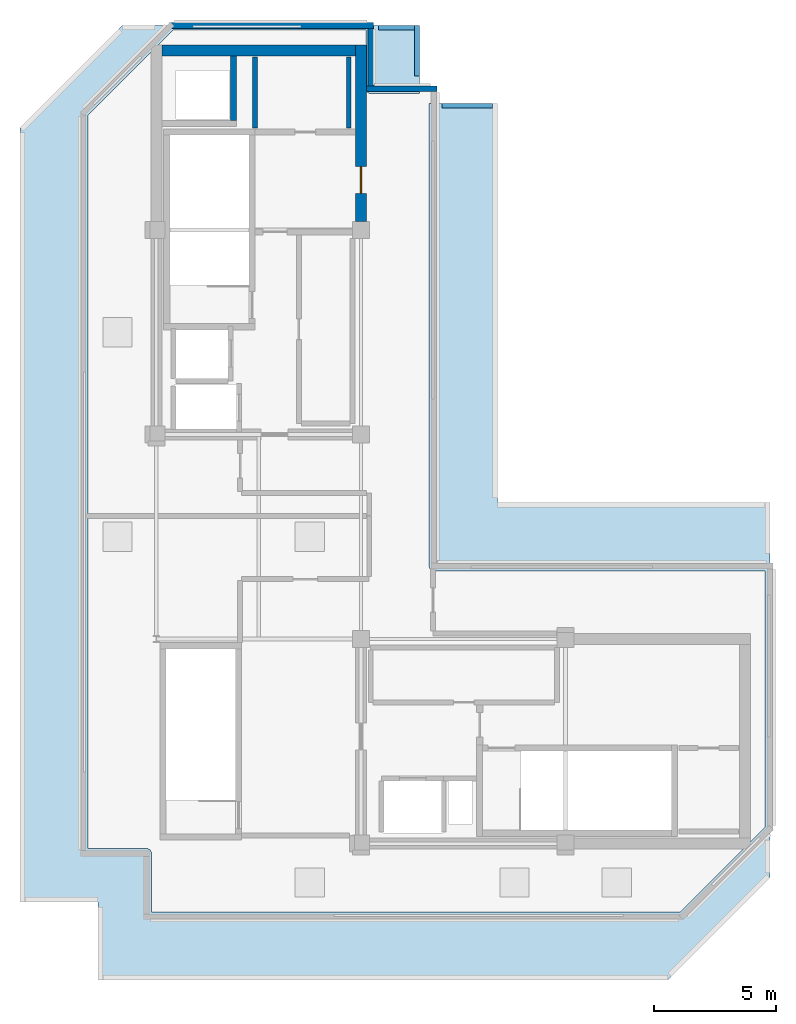
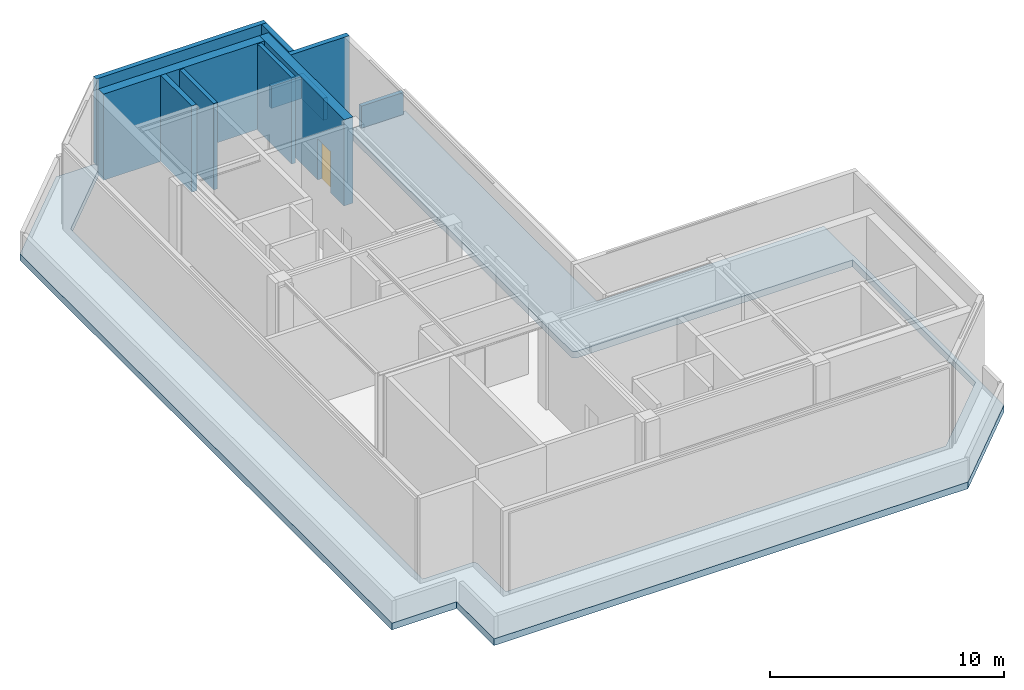
# One storey, part 4 of 5: 11 walls, 1 door, 1 roof, 1 opening.
"""IFC4 building model written with IfcOpenShell, lengths in metres."""

from ifc_helpers import new_model, si_unit, direction, frame, frame_2d, origin, place, context, subcontext, project, spatial, polyline, rectangle, outline, extrude, material, layer, layer_set, type_object, element, fill, save


model = new_model("IFC4")

# Units and contexts
model_context = context("Model", 3, precision=1e-05, world=origin(), true_north=direction((0.0, 1.0)))
body_context = subcontext(model_context, "Body", "Model", "MODEL_VIEW")
ifc_project = project(units=[si_unit("LENGTHUNIT", "METRE"), si_unit("AREAUNIT", "SQUARE_METRE"), si_unit("VOLUMEUNIT", "CUBIC_METRE"), si_unit("PLANEANGLEUNIT", "RADIAN"), si_unit("MASSUNIT", "GRAM", prefix="KILO")], contexts=[model_context])

# Site, building, storey
site_placement = place(None, origin())
site = spatial("IfcSite", under=ifc_project, at=site_placement, CompositionType="ELEMENT")
building_placement = place(site_placement, origin())
building = spatial("IfcBuilding", under=site, at=building_placement, Name="Nerrivon Quay Data Exchange", CompositionType="ELEMENT")
storey_placement = place(building_placement, frame((0.0, 0.0, 338.39990234375)))
storey = spatial("IfcBuildingStorey", under=building, at=storey_placement, Name="L80", CompositionType="ELEMENT", Elevation=338.39990234375)

# Walls
ifc_material_1 = material(Name="Architectural terracotta precast concrete N50 (50 MPa)", Category="masonry")
ifc_layer_1 = layer(ifc_material_1, 0.239990234375)
ifc_layer_set_1 = layer_set([ifc_layer_1], Name="Architectural terracotta precast concrete N50 (50 MPa)")
wall_type_1 = type_object("IfcWallType", Name="EW-PREC-240", PredefinedType="STANDARD", material=ifc_layer_set_1)
wall_1_placement = place(storey_placement, frame((8.92529296875, 42.0, 0.0), z_axis=(0.0, 0.0, 1.0), x_axis=(1.0, 0.0, 0.0)))
element("IfcWall", 1, at=wall_1_placement, inside=storey, type_object=wall_type_1, Name="L80 Plant Enclosure Wall 7", PredefinedType="STANDARD", context=body_context, shape_type="SweptSolid", body=[
    extrude(rectangle(XDim=8.394775390625, YDim=0.239990234375, at=frame_2d((4.197265625, 0.0))), origin(), (0.0, 0.0, 1.0), 4.5),
])
wall_2_placement = place(storey_placement, frame((17.199951171875, 41.8798828125, 0.0), z_axis=(0.0, 0.0, 1.0), x_axis=(0.0, -1.0, 0.0)))
element("IfcWall", 2, at=wall_2_placement, inside=storey, type_object=wall_type_1, Name="L80 Plant Enclosure Wall 8", PredefinedType="STANDARD", context=body_context, shape_type="SweptSolid", body=[
    extrude(rectangle(XDim=2.35986328125, YDim=0.239990234375, at=frame_2d((1.179931640625, 0.0))), origin(), (0.0, 0.0, 1.0), 4.5),
])
wall_3_placement = place(storey_placement, frame((17.02490234375, 39.39990234375, 0.0), z_axis=(0.0, 0.0, 1.0), x_axis=(1.0, 0.0, 0.0)))
element("IfcWall", 3, at=wall_3_placement, inside=storey, type_object=wall_type_1, Name="L80 Plant Enclosure Wall 9", PredefinedType="STANDARD", context=body_context, shape_type="SweptSolid", body=[
    extrude(rectangle(XDim=2.89501953125, YDim=0.239990234375, at=frame_2d((1.447509765625, 0.0))), origin(), (0.0, 0.0, 1.0), 4.5),
])
ifc_material_2 = material(Name="Precast concrete N50 (50 MPa)", Category="concrete")
ifc_layer_2 = layer(ifc_material_2, 0.199951171875)
ifc_layer_set_2 = layer_set([ifc_layer_2], Name="Precast concrete N50 (50 MPa)")
wall_type_2 = type_object("IfcWallType", Name="PAR-RC-1", PredefinedType="PARAPET", material=ifc_layer_set_2)
wall_4_placement = place(storey_placement, frame((19.10009765625, 39.919921875, 0.0), z_axis=(0.0, 0.0, 1.0), x_axis=(0.0, 1.0, 0.0)))
element("IfcWall", 4, at=wall_4_placement, inside=storey, type_object=wall_type_2, Name="L80 Stepped Crown Parapet 1.1", PredefinedType="PARAPET", context=body_context, shape_type="SweptSolid", body=[
    extrude(rectangle(XDim=2.080078125, YDim=0.199951171875, at=frame_2d((1.0400390625, 0.0))), origin(), (0.0, 0.0, 1.0), 1.150146484375),
])
wall_5_placement = place(storey_placement, frame((19.0, 41.89990234375, 0.0), z_axis=(0.0, 0.0, 1.0), x_axis=(-1.0, 0.0, 0.0)))
element("IfcWall", 5, at=wall_5_placement, inside=storey, type_object=wall_type_2, Name="L80 Stepped Crown Parapet 1.2", PredefinedType="PARAPET", context=body_context, shape_type="SweptSolid", body=[
    extrude(rectangle(XDim=1.47998046875, YDim=0.199951171875, at=frame_2d((0.739990234375, 0.0))), origin(), (0.0, 0.0, 1.0), 1.150146484375),
])
wall_6_placement = place(storey_placement, frame((22.199951171875, 38.699951171875, 0.0), z_axis=(0.0, 0.0, 1.0), x_axis=(-1.0, 0.0, 0.0)))
element("IfcWall", 6, at=wall_6_placement, inside=storey, type_object=wall_type_2, Name="L80 Stepped Crown Parapet 1.14", PredefinedType="PARAPET", context=body_context, shape_type="SweptSolid", body=[
    extrude(rectangle(XDim=2.079833984375, YDim=0.199951171875, at=frame_2d((1.0400390625, 0.0))), origin(), (0.0, 0.0, 1.0), 1.150146484375),
])
ifc_material_3 = material(Name="Concrete N50 (50 MPa)", Category="concrete")
ifc_layer_3 = layer(ifc_material_3, 0.449951171875)
ifc_layer_set_3 = layer_set([ifc_layer_3], Name="Concrete N50 (50 MPa)")
wall_type_3 = type_object("IfcWallType", Name="WALL-CW-550", PredefinedType="SHEAR", material=ifc_layer_set_3)
wall_7_placement = place(storey_placement, frame((8.625, 40.97509765625, 0.0), z_axis=(0.0, 0.0, 1.0), x_axis=(1.0, 0.0, 0.0)))
element("IfcWall", 7, at=wall_7_placement, inside=storey, type_object=wall_type_3, Name="L80 West Split-Core Shear Wall WCW-N1", PredefinedType="SHEAR", context=body_context, shape_type="SweptSolid", body=[
    extrude(rectangle(XDim=7.949951171875, YDim=0.449951171875, at=frame_2d((3.97509765625, 0.0))), origin(), (0.0, 0.0, 1.0), 4.5),
])

# Wall, opening, door
wall_8_placement = place(storey_placement, frame((16.800048828125, 33.949951171875, 0.0), z_axis=(0.0, 0.0, 1.0), x_axis=(0.0, 1.0, 0.0)))
wall_8 = element("IfcWall", 8, at=wall_8_placement, inside=storey, type_object=wall_type_3, Name="L80 West Split-Core Shear Wall WCW-E1", PredefinedType="SHEAR", context=body_context, shape_type="SweptSolid", body=[
    extrude(rectangle(XDim=7.25, YDim=0.449951171875, at=frame_2d((3.625, 0.0))), origin(), (0.0, 0.0, 1.0), 4.5),
])
opening_placement = place(wall_8_placement, frame((1.14990234375, 0.0, 0.0)))
opening = element("IfcOpeningElement", 9, at=opening_placement, cuts=wall_8, Name="Opening FD-120", PredefinedType="OPENING", context=body_context, shape_type="SweptSolid", body=[
    extrude(rectangle(XDim=1.10009765625, YDim=2.14990234375, at=frame_2d((0.550048828125, 1.074951171875))), frame((0.0, 0.23486328125, 0.0), z_axis=(0.0, -1.0, 0.0), x_axis=(1.0, 0.0, 0.0)), (0.0, 0.0, 1.0), 0.469970703125),
])
ifc_material_4 = material(Name="Powder-coated galvanized steel sheet", Category="steel")
door_type = type_object("IfcDoorType", Name="DR-FD120-1100", OperationType="NOTDEFINED", PredefinedType="DOOR", material=ifc_material_4)
door_placement = place(opening_placement, origin())
door = element("IfcDoor", 10, at=door_placement, inside=storey, type_object=door_type, Name="L80 West Core Lobby Fire Door", OperationType="SINGLE_SWING_RIGHT", OverallHeight=2.14990234375, OverallWidth=1.10009765625, PredefinedType="DOOR", context=body_context, shape_type="SweptSolid", body=[
    extrude(rectangle(XDim=1.10009765625, YDim=2.14990234375, at=frame_2d((0.550048828125, 1.074951171875))), frame((0.0, 0.02490234375, 0.0), z_axis=(0.0, -1.0, 0.0), x_axis=(1.0, 0.0, 0.0)), (0.0, 0.0, 1.0), 0.050048828125),
])
fill(opening, door)

# Walls
ifc_material_5 = material(Name="Gypsum plasterboard on cold-formed framing", Category="gypsum")
ifc_layer_4 = layer(ifc_material_5, 0.199951171875)
ifc_layer_set_4 = layer_set([ifc_layer_4], Name="Gypsum plasterboard on cold-formed framing")
wall_type_4 = type_object("IfcWallType", Name="WALL-FW-200", PredefinedType="PARTITIONING", material=ifc_layer_set_4)
for number, where, z_axis, x_axis, name in (
    (11, (16.300048828125, 37.780029296875, 0.0), (0.0, 0.0, 1.0), (0.0, 1.0, 0.0), "L80 Partition Electrical Switchboard Closet"),
    (12, (12.449951171875, 40.699951171875, 0.0), (0.0, 0.0, 1.0), (0.0, -1.0, 0.0), "L80 Partition Electrical Switchboard Closet"),
):
    element("IfcWall", number, at=place(storey_placement, frame(where, z_axis=z_axis, x_axis=x_axis)), inside=storey, type_object=wall_type_4, Name=name, PredefinedType="PARTITIONING", context=body_context, shape_type="SweptSolid", body=[
        extrude(rectangle(XDim=2.919921875, YDim=0.199951171875, at=frame_2d((1.4599609375, 0.0))), origin(), (0.0, 0.0, 1.0), 4.5),
    ])
ifc_layer_5 = layer(ifc_material_3, 0.25)
ifc_layer_set_5 = layer_set([ifc_layer_5], Name="Concrete N50 (50 MPa)")
wall_type_5 = type_object("IfcWallType", Name="WALL-SW-250", PredefinedType="SHEAR", material=ifc_layer_set_5)
wall_9_placement = place(storey_placement, frame((11.574951171875, 38.10009765625, 0.0), z_axis=(0.0, 0.0, 1.0), x_axis=(0.0, 1.0, 0.0)))
element("IfcWall", 13, at=wall_9_placement, inside=storey, type_object=wall_type_5, Name="L80 West Core MEP Riser Shaft Wall E", PredefinedType="SHEAR", context=body_context, shape_type="SweptSolid", body=[
    extrude(rectangle(XDim=2.64990234375, YDim=0.25, at=frame_2d((1.324951171875, 0.0))), origin(), (0.0, 0.0, 1.0), 4.5),
])

# Roof
ifc_layer_6 = layer(ifc_material_3, 0.300048828125)
ifc_layer_set_6 = layer_set([ifc_layer_6], Name="Concrete N50 (50 MPa)")
roof_type = type_object("IfcRoofType", Name="ROOF-CROWN-300", PredefinedType="FLAT_ROOF", material=ifc_layer_set_6)
roof_placement = place(storey_placement, frame((0.0, 0.0, -0.349853515625)))
element("IfcRoof", 14, at=roof_placement, inside=storey, type_object=roof_type, Name="L80 Stepped Crown Cap Roof 1", PredefinedType="FLAT_ROOF", context=body_context, shape_type="SweptSolid", body=[
    extrude(outline(polyline([(19.60009765625, 38.800048828125), (19.60009765625, 19.800048828125), (19.603759765625, 19.760986328125), (19.615234375, 19.723388671875), (19.62353515625, 19.705810546875), (19.6455078125, 19.673095703125), (19.673095703125, 19.6455078125), (19.68896484375, 19.6337890625), (19.723388671875, 19.615234375), (19.741943359375, 19.608642578125), (19.760986328125, 19.603759765625), (19.800048828125, 19.60009765625), (33.39990234375, 19.60009765625), (33.39990234375, 9.082763671875), (29.917236328125, 5.60009765625), (8.199951171875, 5.60009765625), (8.199951171875, 8.0), (8.1962890625, 8.0390625), (8.184814453125, 8.076416015625), (8.166259765625, 8.111083984375), (8.141357421875, 8.141357421875), (8.111083984375, 8.166259765625), (8.076416015625, 8.184814453125), (8.0390625, 8.1962890625), (8.0, 8.199951171875), (5.60009765625, 8.199951171875), (5.60009765625, 38.317138671875), (9.082763671875, 41.800048828125), (17.0, 41.800048828125), (17.0, 39.39990234375), (17.00390625, 39.361083984375), (17.01513671875, 39.323486328125), (17.023681640625, 39.3056640625), (17.04541015625, 39.273193359375), (17.072998046875, 39.245361328125), (17.0888671875, 39.233642578125), (17.12353515625, 39.215087890625), (17.160888671875, 39.203857421875), (17.199951171875, 39.199951171875), (19.199951171875, 39.199951171875), (19.199951171875, 42.0), (7.0, 42.0), (2.800048828125, 37.800048828125), (2.800048828125, 6.0), (6.0, 6.0), (6.0, 2.800048828125), (29.39990234375, 2.800048828125), (33.60009765625, 7.0), (33.60009765625, 22.39990234375), (22.39990234375, 22.39990234375), (22.39990234375, 38.800048828125), (19.60009765625, 38.800048828125)])), origin(), (0.0, 0.0, 1.0), 0.349853515625),
])

save(model, "model.ifc")
